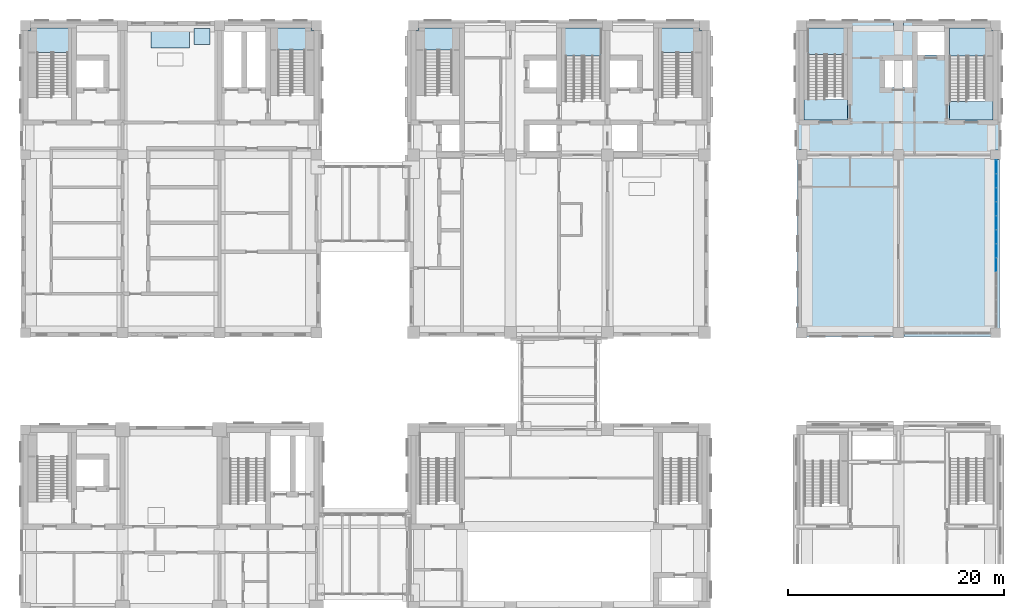
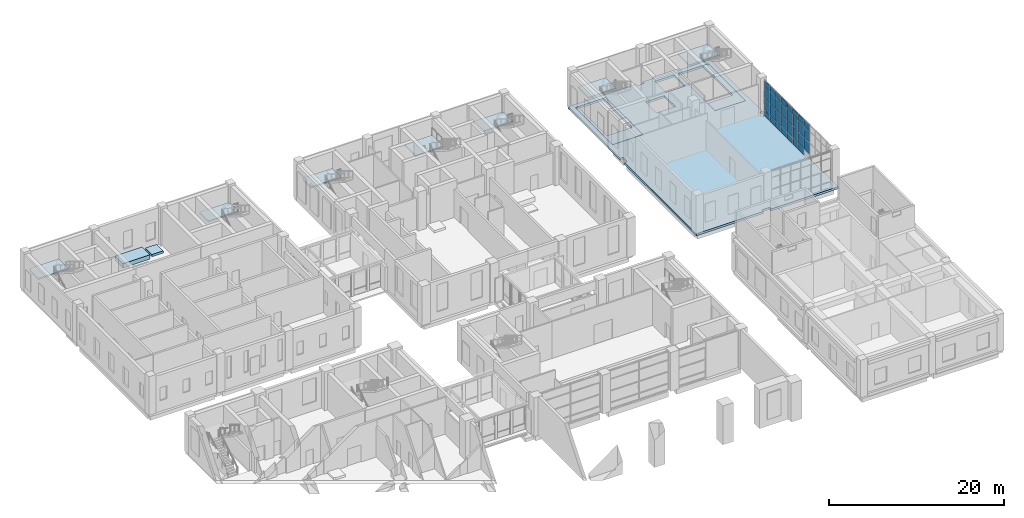
# One storey, part 25 of 52: 31 plates, 12 slabs, 8 elements without a shape of their own.
"""IFC4 building model written with IfcOpenShell, lengths in metres."""

from ifc_helpers import new_model, si_unit, direction, frame, origin, origin_2d, place, context, subcontext, project, spatial, polyline, rectangle, outline, extrude, material, layer, layer_set, type_object, element, aggregate, save


model = new_model("IFC4")

# Units and contexts
model_context = context("Model", 3, precision=1e-05, world=origin(), true_north=direction((0.0, 1.0)))
body_context = subcontext(model_context, "Body", "Model", "MODEL_VIEW")
ifc_project = project(units=[si_unit("LENGTHUNIT", "METRE"), si_unit("AREAUNIT", "SQUARE_METRE"), si_unit("VOLUMEUNIT", "CUBIC_METRE"), si_unit("PLANEANGLEUNIT", "RADIAN"), si_unit("MASSUNIT", "GRAM", prefix="KILO")], contexts=[model_context])

# Site, building, storey
site_placement = place(None, origin())
site = spatial("IfcSite", under=ifc_project, at=site_placement, CompositionType="ELEMENT")
building_placement = place(site_placement, origin())
building = spatial("IfcBuilding", under=site, at=building_placement, Name="Aurelan Courthouse", CompositionType="ELEMENT")
storey_placement = place(building_placement, frame((0.0, 0.0, 6.60009765625)))
storey = spatial("IfcBuildingStorey", under=building, at=storey_placement, Name="L01", CompositionType="ELEMENT", Elevation=6.60009765625)

# Curtain wall, plates
ifc_material_1 = material(Name="Bronze-finished aluminium and glass", Category="aluminium")
ifc_layer_1 = layer(ifc_material_1, 0.14990234375)
ifc_layer_set_1 = layer_set([ifc_layer_1], Name="Bronze-finished aluminium and glass")
curtain_wall_type = type_object("IfcCurtainWallType", Name="Curtain wall 15600 x 5100", PredefinedType="NOTDEFINED", material=ifc_layer_set_1)
curtain_wall_placement = place(storey_placement, origin())
curtain_wall = element("IfcCurtainWall", 1, at=curtain_wall_placement, inside=storey, type_object=curtain_wall_type, Name="Curtain wall CW-V3-L01-E01", PredefinedType="NOTDEFINED")
ifc_material_2 = material(Name="Bronze-finished aluminium", Category="aluminium")
ifc_layer_2 = layer(ifc_material_2, 0.070068359375)
ifc_layer_set_2 = layer_set([ifc_layer_2], Name="Bronze-finished aluminium")
plate_type_1 = type_object("IfcPlateType", Name="Bronze spandrel panel 70", PredefinedType="CURTAIN_PANEL", material=ifc_layer_set_2)
plate_1_placement = place(storey_placement, frame((90.074951171875, 43.800048828125, 4.22998046875), z_axis=(0.0, 0.0, 1.0), x_axis=(0.0, 1.0, 0.0)))
plate_1 = element("IfcPlate", 2, at=plate_1_placement, type_object=plate_type_1, Name="CW-V3-L01-E01 spandrel panel 5.4", PredefinedType="CURTAIN_PANEL", context=body_context, shape_type="SweptSolid", body=[
    extrude(rectangle(XDim=1.239990234375, YDim=0.070068359375, at=origin_2d()), origin(), (0.0, 0.0, 1.0), 0.81005859375),
])
plate_2_placement = place(storey_placement, frame((90.074951171875, 45.10009765625, 4.22998046875), z_axis=(0.0, 0.0, 1.0), x_axis=(0.0, 1.0, 0.0)))
plate_2 = element("IfcPlate", 3, at=plate_2_placement, type_object=plate_type_1, Name="CW-V3-L01-E01 spandrel panel 6.4", PredefinedType="CURTAIN_PANEL", context=body_context, shape_type="SweptSolid", body=[
    extrude(rectangle(XDim=1.239990234375, YDim=0.070068359375, at=origin_2d()), origin(), (0.0, 0.0, 1.0), 0.81005859375),
])
plate_3_placement = place(storey_placement, frame((90.074951171875, 46.39990234375, 4.22998046875), z_axis=(0.0, 0.0, 1.0), x_axis=(0.0, 1.0, 0.0)))
plate_3 = element("IfcPlate", 4, at=plate_3_placement, type_object=plate_type_1, Name="CW-V3-L01-E01 spandrel panel 7.4", PredefinedType="CURTAIN_PANEL", context=body_context, shape_type="SweptSolid", body=[
    extrude(rectangle(XDim=1.239990234375, YDim=0.070068359375, at=origin_2d()), origin(), (0.0, 0.0, 1.0), 0.81005859375),
])
plate_4_placement = place(storey_placement, frame((90.074951171875, 47.699951171875, 4.22998046875), z_axis=(0.0, 0.0, 1.0), x_axis=(0.0, 1.0, 0.0)))
plate_4 = element("IfcPlate", 5, at=plate_4_placement, type_object=plate_type_1, Name="CW-V3-L01-E01 spandrel panel 8.4", PredefinedType="CURTAIN_PANEL", context=body_context, shape_type="SweptSolid", body=[
    extrude(rectangle(XDim=1.239990234375, YDim=0.070068359375, at=origin_2d()), origin(), (0.0, 0.0, 1.0), 0.81005859375),
])
plate_5_placement = place(storey_placement, frame((90.074951171875, 49.0, 4.22998046875), z_axis=(0.0, 0.0, 1.0), x_axis=(0.0, 1.0, 0.0)))
plate_5 = element("IfcPlate", 6, at=plate_5_placement, type_object=plate_type_1, Name="CW-V3-L01-E01 spandrel panel 9.4", PredefinedType="CURTAIN_PANEL", context=body_context, shape_type="SweptSolid", body=[
    extrude(rectangle(XDim=1.239990234375, YDim=0.070068359375, at=origin_2d()), origin(), (0.0, 0.0, 1.0), 0.81005859375),
])
plate_6_placement = place(storey_placement, frame((90.074951171875, 50.300048828125, 4.22998046875), z_axis=(0.0, 0.0, 1.0), x_axis=(0.0, 1.0, 0.0)))
plate_6 = element("IfcPlate", 7, at=plate_6_placement, type_object=plate_type_1, Name="CW-V3-L01-E01 spandrel panel 10.4", PredefinedType="CURTAIN_PANEL", context=body_context, shape_type="SweptSolid", body=[
    extrude(rectangle(XDim=1.239990234375, YDim=0.070068359375, at=origin_2d()), origin(), (0.0, 0.0, 1.0), 0.81005859375),
])
plate_7_placement = place(storey_placement, frame((90.074951171875, 51.60009765625, 4.22998046875), z_axis=(0.0, 0.0, 1.0), x_axis=(0.0, 1.0, 0.0)))
plate_7 = element("IfcPlate", 8, at=plate_7_placement, type_object=plate_type_1, Name="CW-V3-L01-E01 spandrel panel 11.4", PredefinedType="CURTAIN_PANEL", context=body_context, shape_type="SweptSolid", body=[
    extrude(rectangle(XDim=1.239990234375, YDim=0.070068359375, at=origin_2d()), origin(), (0.0, 0.0, 1.0), 0.81005859375),
])
plate_8_placement = place(storey_placement, frame((90.074951171875, 52.885009765625, 4.22998046875), z_axis=(0.0, 0.0, 1.0), x_axis=(0.0, 1.0, 0.0)))
plate_8 = element("IfcPlate", 9, at=plate_8_placement, type_object=plate_type_1, Name="CW-V3-L01-E01 spandrel panel 12.4", PredefinedType="CURTAIN_PANEL", context=body_context, shape_type="SweptSolid", body=[
    extrude(rectangle(XDim=1.2099609375, YDim=0.070068359375, at=origin_2d()), origin(), (0.0, 0.0, 1.0), 0.81005859375),
])

# Slabs
ifc_material_3 = material(Name="Concrete C30", Category="concrete")
ifc_layer_3 = layer(ifc_material_3, 0.610107421875)
ifc_layer_set_3 = layer_set([ifc_layer_3], Name="Concrete C30")
slab_type_1 = type_object("IfcSlabType", Name="Judge's bench dais 610", PredefinedType="FLOOR", material=ifc_layer_set_3)
slab_1_placement = place(storey_placement, origin())
element("IfcSlab", 10, at=slab_1_placement, inside=storey, type_object=slab_type_1, Name="Judge's bench dais Video-Link Hearing Room 6.01.01", PredefinedType="FLOOR", context=body_context, shape_type="SweptSolid", body=[
    extrude(outline(polyline([(11.625, 63.925048828125), (15.22509765625, 63.925048828125), (15.22509765625, 65.72509765625), (11.625, 65.72509765625), (11.625, 63.925048828125)])), origin(), (0.0, 0.0, 1.0), 0.60986328125),
])
ifc_material_4 = material(Name="Concrete C40", Category="concrete")
ifc_layer_4 = layer(ifc_material_4, 0.300048828125)
ifc_layer_set_4 = layer_set([ifc_layer_4], Name="Concrete C40")
slab_type_2 = type_object("IfcSlabType", Name="PT floor slab 300", PredefinedType="FLOOR", material=ifc_layer_set_4)
slab_2_placement = place(storey_placement, frame((0.0, 0.0, -0.300048828125)))
element("IfcSlab", 11, at=slab_2_placement, inside=storey, type_object=slab_type_2, Name="Floor slab SL-L01-03", PredefinedType="FLOOR", context=body_context, shape_type="SweptSolid", body=[
    extrude(outline(polyline([(72.0, 53.5), (71.64990234375, 53.5), (71.64990234375, 38.0), (71.64990234375, 37.14990234375), (72.5, 37.14990234375), (80.5, 37.14990234375), (80.5, 37.5), (81.5, 37.5), (81.5, 37.14990234375), (89.550048828125, 37.14990234375), (90.35009765625, 37.14990234375), (90.35009765625, 37.949951171875), (90.35009765625, 53.550048828125), (90.0, 53.550048828125), (90.0, 54.449951171875), (90.35009765625, 54.449951171875), (90.35009765625, 65.550048828125), (90.35009765625, 66.35009765625), (89.550048828125, 66.35009765625), (81.449951171875, 66.35009765625), (81.449951171875, 66.0), (80.550048828125, 66.0), (80.550048828125, 66.35009765625), (72.449951171875, 66.35009765625), (71.64990234375, 66.35009765625), (71.64990234375, 65.550048828125), (71.64990234375, 54.5), (72.0, 54.5), (72.0, 53.5)]), holes=[polyline([(85.75, 57.25), (85.75, 65.75), (89.75, 65.75), (89.75, 57.25), (85.75, 57.25)]), polyline([(82.75, 65.75), (85.25, 65.75), (85.25, 63.25), (82.75, 63.25), (82.75, 65.75)]), polyline([(82.25, 62.75), (82.25, 60.25), (79.75, 60.25), (79.75, 62.75), (82.25, 62.75)]), polyline([(76.25, 57.25), (72.25, 57.25), (72.25, 65.75), (76.25, 65.75), (76.25, 57.25)])]), origin(), (0.0, 0.0, 1.0), 0.300048828125),
])

# Plate
ifc_layer_5 = layer(ifc_material_2, 0.0400390625)
ifc_layer_set_5 = layer_set([ifc_layer_5], Name="Bronze-finished aluminium")
plate_type_2 = type_object("IfcPlateType", Name="Sill panel 40", PredefinedType="CURTAIN_PANEL", material=ifc_layer_set_5)
plate_9_placement = place(storey_placement, frame((90.074951171875, 45.10009765625, 0.059814453125), z_axis=(0.0, 0.0, 1.0), x_axis=(0.0, 1.0, 0.0)))
plate_9 = element("IfcPlate", 12, at=plate_9_placement, type_object=plate_type_2, Name="CW-V3-L01-E01 sill panel 6.1", PredefinedType="CURTAIN_PANEL", context=body_context, shape_type="SweptSolid", body=[
    extrude(rectangle(XDim=1.239990234375, YDim=0.0400390625, at=origin_2d()), origin(), (0.0, 0.0, 1.0), 0.81005859375),
])

plate_10_placement = place(storey_placement, frame((90.074951171875, 46.39990234375, 0.059814453125), z_axis=(0.0, 0.0, 1.0), x_axis=(0.0, 1.0, 0.0)))
plate_10 = element("IfcPlate", 13, at=plate_10_placement, type_object=plate_type_2, Name="CW-V3-L01-E01 sill panel 7.1", PredefinedType="CURTAIN_PANEL", context=body_context, shape_type="SweptSolid", body=[
    extrude(rectangle(XDim=1.239990234375, YDim=0.0400390625, at=origin_2d()), origin(), (0.0, 0.0, 1.0), 0.81005859375),
])

plate_11_placement = place(storey_placement, frame((90.074951171875, 47.699951171875, 0.059814453125), z_axis=(0.0, 0.0, 1.0), x_axis=(0.0, 1.0, 0.0)))
plate_11 = element("IfcPlate", 14, at=plate_11_placement, type_object=plate_type_2, Name="CW-V3-L01-E01 sill panel 8.1", PredefinedType="CURTAIN_PANEL", context=body_context, shape_type="SweptSolid", body=[
    extrude(rectangle(XDim=1.239990234375, YDim=0.0400390625, at=origin_2d()), origin(), (0.0, 0.0, 1.0), 0.81005859375),
])

plate_12_placement = place(storey_placement, frame((90.074951171875, 49.0, 0.059814453125), z_axis=(0.0, 0.0, 1.0), x_axis=(0.0, 1.0, 0.0)))
plate_12 = element("IfcPlate", 15, at=plate_12_placement, type_object=plate_type_2, Name="CW-V3-L01-E01 sill panel 9.1", PredefinedType="CURTAIN_PANEL", context=body_context, shape_type="SweptSolid", body=[
    extrude(rectangle(XDim=1.239990234375, YDim=0.0400390625, at=origin_2d()), origin(), (0.0, 0.0, 1.0), 0.81005859375),
])

plate_13_placement = place(storey_placement, frame((90.074951171875, 50.300048828125, 0.059814453125), z_axis=(0.0, 0.0, 1.0), x_axis=(0.0, 1.0, 0.0)))
plate_13 = element("IfcPlate", 16, at=plate_13_placement, type_object=plate_type_2, Name="CW-V3-L01-E01 sill panel 10.1", PredefinedType="CURTAIN_PANEL", context=body_context, shape_type="SweptSolid", body=[
    extrude(rectangle(XDim=1.239990234375, YDim=0.0400390625, at=origin_2d()), origin(), (0.0, 0.0, 1.0), 0.81005859375),
])

plate_14_placement = place(storey_placement, frame((90.074951171875, 51.60009765625, 0.059814453125), z_axis=(0.0, 0.0, 1.0), x_axis=(0.0, 1.0, 0.0)))
plate_14 = element("IfcPlate", 17, at=plate_14_placement, type_object=plate_type_2, Name="CW-V3-L01-E01 sill panel 11.1", PredefinedType="CURTAIN_PANEL", context=body_context, shape_type="SweptSolid", body=[
    extrude(rectangle(XDim=1.239990234375, YDim=0.0400390625, at=origin_2d()), origin(), (0.0, 0.0, 1.0), 0.81005859375),
])

plate_15_placement = place(storey_placement, frame((90.074951171875, 52.885009765625, 0.059814453125), z_axis=(0.0, 0.0, 1.0), x_axis=(0.0, 1.0, 0.0)))
plate_15 = element("IfcPlate", 18, at=plate_15_placement, type_object=plate_type_2, Name="CW-V3-L01-E01 sill panel 12.1", PredefinedType="CURTAIN_PANEL", context=body_context, shape_type="SweptSolid", body=[
    extrude(rectangle(XDim=1.2099609375, YDim=0.0400390625, at=origin_2d()), origin(), (0.0, 0.0, 1.0), 0.81005859375),
])

# Stair, slab
stair_type_1 = type_object("IfcStairType", Name="Half-turn stair 1600 wide 31 risers", PredefinedType="HALF_TURN_STAIR", material=ifc_material_3)
stair_1_placement = place(storey_placement, origin())
stair_1 = element("IfcStair", 19, at=stair_1_placement, inside=storey, type_object=stair_type_1, Name="Stair ST-3A-L01", PredefinedType="HALF_TURN_STAIR")
ifc_layer_6 = layer(ifc_material_3, 0.300048828125)
ifc_layer_set_6 = layer_set([ifc_layer_6], Name="Concrete C30")
slab_type_3 = type_object("IfcSlabType", Name="Stair floor landing 300 thick", PredefinedType="LANDING", material=ifc_layer_set_6)
slab_3_placement = place(storey_placement, frame((0.0, 0.0, -0.300048828125)))
slab_3 = element("IfcSlab", 20, at=slab_3_placement, type_object=slab_type_3, Name="Stair ST-3A-L01 floor landing", PredefinedType="LANDING", context=body_context, shape_type="SweptSolid", body=[
    extrude(outline(polyline([(72.60009765625, 59.111083984375), (74.300048828125, 59.111083984375), (75.89990234375, 59.111083984375), (75.89990234375, 65.75), (76.25, 65.75), (76.25, 57.25), (72.25, 57.25), (72.25, 65.550048828125), (72.449951171875, 65.550048828125), (72.449951171875, 65.75), (72.60009765625, 65.75), (72.60009765625, 59.111083984375)])), origin(), (0.0, 0.0, 1.0), 0.300048828125),
])

stair_2_placement = place(storey_placement, origin())
stair_2 = element("IfcStair", 21, at=stair_2_placement, inside=storey, type_object=stair_type_1, Name="Stair ST-3B-L01", PredefinedType="HALF_TURN_STAIR")
slab_4_placement = place(storey_placement, frame((0.0, 0.0, -0.300048828125)))
slab_4 = element("IfcSlab", 22, at=slab_4_placement, type_object=slab_type_3, Name="Stair ST-3B-L01 floor landing", PredefinedType="LANDING", context=body_context, shape_type="SweptSolid", body=[
    extrude(outline(polyline([(89.050048828125, 65.590087890625), (89.050048828125, 65.60009765625), (89.050048828125, 65.75), (89.550048828125, 65.75), (89.550048828125, 65.550048828125), (89.75, 65.550048828125), (89.75, 57.25), (89.60009765625, 57.25), (89.590087890625, 57.25), (85.75, 57.25), (85.75, 58.9609375), (87.449951171875, 58.9609375), (89.050048828125, 58.9609375), (89.050048828125, 65.590087890625)])), origin(), (0.0, 0.0, 1.0), 0.300048828125),
])

stair_type_2 = type_object("IfcStairType", Name="Half-turn stair 1200 wide 31 risers", PredefinedType="HALF_TURN_STAIR", material=ifc_material_3)
stair_3_placement = place(storey_placement, origin())
stair_3 = element("IfcStair", 23, at=stair_3_placement, inside=storey, type_object=stair_type_2, Name="Stair CS-2-L01", PredefinedType="HALF_TURN_STAIR")
ifc_layer_7 = layer(ifc_material_3, 0.199951171875)
ifc_layer_set_7 = layer_set([ifc_layer_7], Name="Concrete C30")
slab_type_4 = type_object("IfcSlabType", Name="Stair half landing 200 thick", PredefinedType="LANDING", material=ifc_layer_set_7)
slab_5_placement = place(storey_placement, frame((0.0, 0.0, 2.5869140625)))
slab_5 = element("IfcSlab", 24, at=slab_5_placement, type_object=slab_type_4, Name="Stair CS-2-L01 half landing", PredefinedType="LANDING", context=body_context, shape_type="SweptSolid", body=[
    extrude(outline(polyline([(36.25, 65.550048828125), (36.449951171875, 65.550048828125), (36.449951171875, 65.75), (40.25, 65.75), (40.25, 63.7099609375), (36.25, 63.7099609375), (36.25, 65.550048828125)])), origin(), (0.0, 0.0, 1.0), 0.2001953125),
])
aggregate(stair_3, [slab_5])

stair_4_placement = place(storey_placement, origin())
stair_4 = element("IfcStair", 25, at=stair_4_placement, inside=storey, type_object=stair_type_2, Name="Stair CS-6-L01", PredefinedType="HALF_TURN_STAIR")
slab_6_placement = place(storey_placement, frame((0.0, 0.0, 2.5869140625)))
slab_6 = element("IfcSlab", 26, at=slab_6_placement, type_object=slab_type_4, Name="Stair CS-6-L01 half landing", PredefinedType="LANDING", context=body_context, shape_type="SweptSolid", body=[
    extrude(outline(polyline([(22.75, 65.75), (26.550048828125, 65.75), (26.550048828125, 65.550048828125), (26.75, 65.550048828125), (26.75, 63.7099609375), (22.75, 63.7099609375), (22.75, 65.75)])), origin(), (0.0, 0.0, 1.0), 0.2001953125),
])
aggregate(stair_4, [slab_6])

stair_5_placement = place(storey_placement, origin())
stair_5 = element("IfcStair", 27, at=stair_5_placement, inside=storey, type_object=stair_type_1, Name="Stair ST-2A-L01", PredefinedType="HALF_TURN_STAIR")
slab_7_placement = place(storey_placement, frame((0.0, 0.0, 2.5869140625)))
slab_7 = element("IfcSlab", 28, at=slab_7_placement, type_object=slab_type_4, Name="Stair ST-2A-L01 half landing", PredefinedType="LANDING", context=body_context, shape_type="SweptSolid", body=[
    extrude(outline(polyline([(49.75, 63.159912109375), (49.75, 65.75), (53.39990234375, 65.75), (53.39990234375, 63.159912109375), (49.75, 63.159912109375)])), origin(), (0.0, 0.0, 1.0), 0.2001953125),
])
aggregate(stair_5, [slab_7])

stair_type_3 = type_object("IfcStairType", Name="Half-turn stair 1400 wide 31 risers", PredefinedType="HALF_TURN_STAIR", material=ifc_material_3)
stair_6_placement = place(storey_placement, origin())
stair_6 = element("IfcStair", 29, at=stair_6_placement, inside=storey, type_object=stair_type_3, Name="Stair ST-2E-L01", PredefinedType="HALF_TURN_STAIR")
slab_8_placement = place(storey_placement, frame((0.0, 0.0, 2.5869140625)))
slab_8 = element("IfcSlab", 30, at=slab_8_placement, type_object=slab_type_4, Name="Stair ST-2E-L01 half landing", PredefinedType="LANDING", context=body_context, shape_type="SweptSolid", body=[
    extrude(outline(polyline([(58.75, 65.75), (62.550048828125, 65.75), (62.550048828125, 65.550048828125), (62.75, 65.550048828125), (62.75, 63.510009765625), (58.75, 63.510009765625), (58.75, 65.75)])), origin(), (0.0, 0.0, 1.0), 0.2001953125),
])
aggregate(stair_6, [slab_8])

# Slab
slab_9_placement = place(storey_placement, frame((0.0, 0.0, 2.5869140625)))
slab_9 = element("IfcSlab", 31, at=slab_9_placement, type_object=slab_type_4, Name="Stair ST-3A-L01 half landing", PredefinedType="LANDING", context=body_context, shape_type="SweptSolid", body=[
    extrude(outline(polyline([(72.60009765625, 65.75), (76.25, 65.75), (76.25, 63.31005859375), (72.60009765625, 63.31005859375), (72.60009765625, 65.75)])), origin(), (0.0, 0.0, 1.0), 0.2001953125),
])

aggregate(stair_1, [slab_9, slab_3])

slab_10_placement = place(storey_placement, frame((0.0, 0.0, 2.5869140625)))
slab_10 = element("IfcSlab", 32, at=slab_10_placement, type_object=slab_type_4, Name="Stair ST-3B-L01 half landing", PredefinedType="LANDING", context=body_context, shape_type="SweptSolid", body=[
    extrude(outline(polyline([(85.75, 63.159912109375), (85.75, 65.75), (89.550048828125, 65.75), (89.550048828125, 65.550048828125), (89.75, 65.550048828125), (89.75, 63.159912109375), (85.75, 63.159912109375)])), origin(), (0.0, 0.0, 1.0), 0.2001953125),
])

aggregate(stair_2, [slab_10, slab_4])

# Stair, slab
stair_7_placement = place(storey_placement, origin())
stair_7 = element("IfcStair", 33, at=stair_7_placement, inside=storey, type_object=stair_type_3, Name="Stair ST-6-L01", PredefinedType="HALF_TURN_STAIR")
slab_11_placement = place(storey_placement, frame((0.0, 0.0, 2.5869140625)))
slab_11 = element("IfcSlab", 34, at=slab_11_placement, type_object=slab_type_4, Name="Stair ST-6-L01 half landing", PredefinedType="LANDING", context=body_context, shape_type="SweptSolid", body=[
    extrude(outline(polyline([(0.25, 65.550048828125), (0.449951171875, 65.550048828125), (0.449951171875, 65.75), (4.25, 65.75), (4.25, 63.510009765625), (0.25, 63.510009765625), (0.25, 65.550048828125)])), origin(), (0.0, 0.0, 1.0), 0.2001953125),
])
aggregate(stair_7, [slab_11])

# Plate
ifc_material_5 = material(Name="Laminated low-emissivity glass", Category="glass")
ifc_layer_8 = layer(ifc_material_5, 0.031982421875)
ifc_layer_set_8 = layer_set([ifc_layer_8], Name="Laminated low-emissivity glass")
plate_type_3 = type_object("IfcPlateType", Name="Vision glass panel 32", PredefinedType="CURTAIN_PANEL", material=ifc_layer_set_8)
plate_16_placement = place(storey_placement, frame((90.074951171875, 43.800048828125, 0.9296875), z_axis=(0.0, 0.0, 1.0), x_axis=(0.0, 1.0, 0.0)))
plate_16 = element("IfcPlate", 35, at=plate_16_placement, type_object=plate_type_3, Name="CW-V3-L01-E01 vision panel 5.2", PredefinedType="CURTAIN_PANEL", context=body_context, shape_type="SweptSolid", body=[
    extrude(rectangle(XDim=1.239990234375, YDim=0.031982421875, at=origin_2d()), origin(), (0.0, 0.0, 1.0), 1.590087890625),
])

plate_17_placement = place(storey_placement, frame((90.074951171875, 43.800048828125, 2.580078125), z_axis=(0.0, 0.0, 1.0), x_axis=(0.0, 1.0, 0.0)))
plate_17 = element("IfcPlate", 36, at=plate_17_placement, type_object=plate_type_3, Name="CW-V3-L01-E01 vision panel 5.3", PredefinedType="CURTAIN_PANEL", context=body_context, shape_type="SweptSolid", body=[
    extrude(rectangle(XDim=1.239990234375, YDim=0.031982421875, at=origin_2d()), origin(), (0.0, 0.0, 1.0), 1.590087890625),
])

plate_18_placement = place(storey_placement, frame((90.074951171875, 45.10009765625, 0.9296875), z_axis=(0.0, 0.0, 1.0), x_axis=(0.0, 1.0, 0.0)))
plate_18 = element("IfcPlate", 37, at=plate_18_placement, type_object=plate_type_3, Name="CW-V3-L01-E01 vision panel 6.2", PredefinedType="CURTAIN_PANEL", context=body_context, shape_type="SweptSolid", body=[
    extrude(rectangle(XDim=1.239990234375, YDim=0.031982421875, at=origin_2d()), origin(), (0.0, 0.0, 1.0), 1.590087890625),
])

plate_19_placement = place(storey_placement, frame((90.074951171875, 45.10009765625, 2.580078125), z_axis=(0.0, 0.0, 1.0), x_axis=(0.0, 1.0, 0.0)))
plate_19 = element("IfcPlate", 38, at=plate_19_placement, type_object=plate_type_3, Name="CW-V3-L01-E01 vision panel 6.3", PredefinedType="CURTAIN_PANEL", context=body_context, shape_type="SweptSolid", body=[
    extrude(rectangle(XDim=1.239990234375, YDim=0.031982421875, at=origin_2d()), origin(), (0.0, 0.0, 1.0), 1.590087890625),
])

plate_20_placement = place(storey_placement, frame((90.074951171875, 46.39990234375, 0.9296875), z_axis=(0.0, 0.0, 1.0), x_axis=(0.0, 1.0, 0.0)))
plate_20 = element("IfcPlate", 39, at=plate_20_placement, type_object=plate_type_3, Name="CW-V3-L01-E01 vision panel 7.2", PredefinedType="CURTAIN_PANEL", context=body_context, shape_type="SweptSolid", body=[
    extrude(rectangle(XDim=1.239990234375, YDim=0.031982421875, at=origin_2d()), origin(), (0.0, 0.0, 1.0), 1.590087890625),
])

plate_21_placement = place(storey_placement, frame((90.074951171875, 46.39990234375, 2.580078125), z_axis=(0.0, 0.0, 1.0), x_axis=(0.0, 1.0, 0.0)))
plate_21 = element("IfcPlate", 40, at=plate_21_placement, type_object=plate_type_3, Name="CW-V3-L01-E01 vision panel 7.3", PredefinedType="CURTAIN_PANEL", context=body_context, shape_type="SweptSolid", body=[
    extrude(rectangle(XDim=1.239990234375, YDim=0.031982421875, at=origin_2d()), origin(), (0.0, 0.0, 1.0), 1.590087890625),
])

plate_22_placement = place(storey_placement, frame((90.074951171875, 47.699951171875, 0.9296875), z_axis=(0.0, 0.0, 1.0), x_axis=(0.0, 1.0, 0.0)))
plate_22 = element("IfcPlate", 41, at=plate_22_placement, type_object=plate_type_3, Name="CW-V3-L01-E01 vision panel 8.2", PredefinedType="CURTAIN_PANEL", context=body_context, shape_type="SweptSolid", body=[
    extrude(rectangle(XDim=1.239990234375, YDim=0.031982421875, at=origin_2d()), origin(), (0.0, 0.0, 1.0), 1.590087890625),
])

plate_23_placement = place(storey_placement, frame((90.074951171875, 47.699951171875, 2.580078125), z_axis=(0.0, 0.0, 1.0), x_axis=(0.0, 1.0, 0.0)))
plate_23 = element("IfcPlate", 42, at=plate_23_placement, type_object=plate_type_3, Name="CW-V3-L01-E01 vision panel 8.3", PredefinedType="CURTAIN_PANEL", context=body_context, shape_type="SweptSolid", body=[
    extrude(rectangle(XDim=1.239990234375, YDim=0.031982421875, at=origin_2d()), origin(), (0.0, 0.0, 1.0), 1.590087890625),
])

plate_24_placement = place(storey_placement, frame((90.074951171875, 49.0, 0.9296875), z_axis=(0.0, 0.0, 1.0), x_axis=(0.0, 1.0, 0.0)))
plate_24 = element("IfcPlate", 43, at=plate_24_placement, type_object=plate_type_3, Name="CW-V3-L01-E01 vision panel 9.2", PredefinedType="CURTAIN_PANEL", context=body_context, shape_type="SweptSolid", body=[
    extrude(rectangle(XDim=1.239990234375, YDim=0.031982421875, at=origin_2d()), origin(), (0.0, 0.0, 1.0), 1.590087890625),
])

plate_25_placement = place(storey_placement, frame((90.074951171875, 49.0, 2.580078125), z_axis=(0.0, 0.0, 1.0), x_axis=(0.0, 1.0, 0.0)))
plate_25 = element("IfcPlate", 44, at=plate_25_placement, type_object=plate_type_3, Name="CW-V3-L01-E01 vision panel 9.3", PredefinedType="CURTAIN_PANEL", context=body_context, shape_type="SweptSolid", body=[
    extrude(rectangle(XDim=1.239990234375, YDim=0.031982421875, at=origin_2d()), origin(), (0.0, 0.0, 1.0), 1.590087890625),
])

plate_26_placement = place(storey_placement, frame((90.074951171875, 50.300048828125, 0.9296875), z_axis=(0.0, 0.0, 1.0), x_axis=(0.0, 1.0, 0.0)))
plate_26 = element("IfcPlate", 45, at=plate_26_placement, type_object=plate_type_3, Name="CW-V3-L01-E01 vision panel 10.2", PredefinedType="CURTAIN_PANEL", context=body_context, shape_type="SweptSolid", body=[
    extrude(rectangle(XDim=1.239990234375, YDim=0.031982421875, at=origin_2d()), origin(), (0.0, 0.0, 1.0), 1.590087890625),
])

plate_27_placement = place(storey_placement, frame((90.074951171875, 50.300048828125, 2.580078125), z_axis=(0.0, 0.0, 1.0), x_axis=(0.0, 1.0, 0.0)))
plate_27 = element("IfcPlate", 46, at=plate_27_placement, type_object=plate_type_3, Name="CW-V3-L01-E01 vision panel 10.3", PredefinedType="CURTAIN_PANEL", context=body_context, shape_type="SweptSolid", body=[
    extrude(rectangle(XDim=1.239990234375, YDim=0.031982421875, at=origin_2d()), origin(), (0.0, 0.0, 1.0), 1.590087890625),
])

plate_28_placement = place(storey_placement, frame((90.074951171875, 51.60009765625, 0.9296875), z_axis=(0.0, 0.0, 1.0), x_axis=(0.0, 1.0, 0.0)))
plate_28 = element("IfcPlate", 47, at=plate_28_placement, type_object=plate_type_3, Name="CW-V3-L01-E01 vision panel 11.2", PredefinedType="CURTAIN_PANEL", context=body_context, shape_type="SweptSolid", body=[
    extrude(rectangle(XDim=1.239990234375, YDim=0.031982421875, at=origin_2d()), origin(), (0.0, 0.0, 1.0), 1.590087890625),
])

plate_29_placement = place(storey_placement, frame((90.074951171875, 51.60009765625, 2.580078125), z_axis=(0.0, 0.0, 1.0), x_axis=(0.0, 1.0, 0.0)))
plate_29 = element("IfcPlate", 48, at=plate_29_placement, type_object=plate_type_3, Name="CW-V3-L01-E01 vision panel 11.3", PredefinedType="CURTAIN_PANEL", context=body_context, shape_type="SweptSolid", body=[
    extrude(rectangle(XDim=1.239990234375, YDim=0.031982421875, at=origin_2d()), origin(), (0.0, 0.0, 1.0), 1.590087890625),
])

plate_30_placement = place(storey_placement, frame((90.074951171875, 52.885009765625, 0.9296875), z_axis=(0.0, 0.0, 1.0), x_axis=(0.0, 1.0, 0.0)))
plate_30 = element("IfcPlate", 49, at=plate_30_placement, type_object=plate_type_3, Name="CW-V3-L01-E01 vision panel 12.2", PredefinedType="CURTAIN_PANEL", context=body_context, shape_type="SweptSolid", body=[
    extrude(rectangle(XDim=1.2099609375, YDim=0.031982421875, at=origin_2d()), origin(), (0.0, 0.0, 1.0), 1.590087890625),
])

plate_31_placement = place(storey_placement, frame((90.074951171875, 52.885009765625, 2.580078125), z_axis=(0.0, 0.0, 1.0), x_axis=(0.0, 1.0, 0.0)))
plate_31 = element("IfcPlate", 50, at=plate_31_placement, type_object=plate_type_3, Name="CW-V3-L01-E01 vision panel 12.3", PredefinedType="CURTAIN_PANEL", context=body_context, shape_type="SweptSolid", body=[
    extrude(rectangle(XDim=1.2099609375, YDim=0.031982421875, at=origin_2d()), origin(), (0.0, 0.0, 1.0), 1.590087890625),
])

aggregate(curtain_wall, [plate_16, plate_17, plate_1, plate_9, plate_18, plate_19, plate_2, plate_10, plate_20, plate_21, plate_3, plate_11, plate_22, plate_23, plate_4, plate_12, plate_24, plate_25, plate_5, plate_13, plate_26, plate_27, plate_6, plate_14, plate_28, plate_29, plate_7, plate_15, plate_30, plate_31, plate_8])

# Slab
ifc_layer_9 = layer(ifc_material_3, 0.300048828125)
ifc_layer_set_9 = layer_set([ifc_layer_9], Name="Concrete C30")
slab_type_5 = type_object("IfcSlabType", Name="Witness dais 300", PredefinedType="FLOOR", material=ifc_layer_set_9)
slab_12_placement = place(storey_placement, origin())
element("IfcSlab", 51, at=slab_12_placement, inside=storey, type_object=slab_type_5, Name="Witness dais Video-Link Hearing Room 6.01.01", PredefinedType="FLOOR", context=body_context, shape_type="SweptSolid", body=[
    extrude(outline(polyline([(15.625, 64.22509765625), (17.125, 64.22509765625), (17.125, 65.72509765625), (15.625, 65.72509765625), (15.625, 64.22509765625)])), origin(), (0.0, 0.0, 1.0), 0.2998046875),
])

save(model, "model.ifc")
